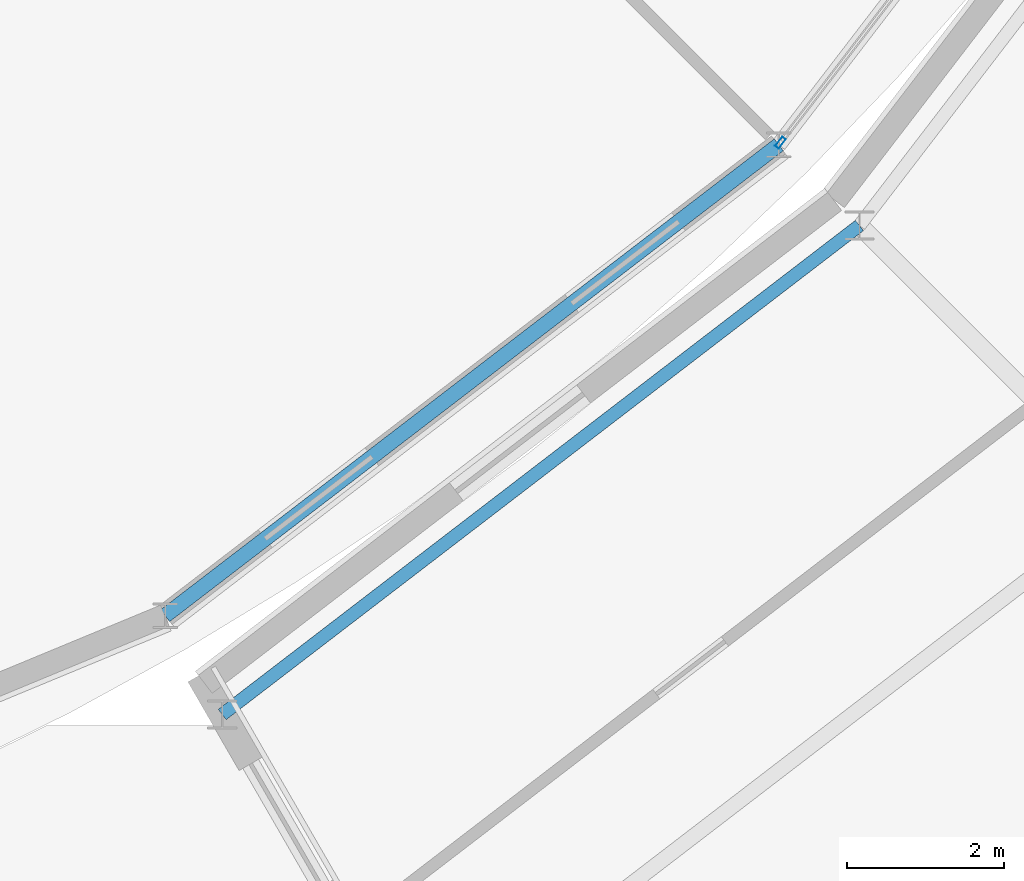
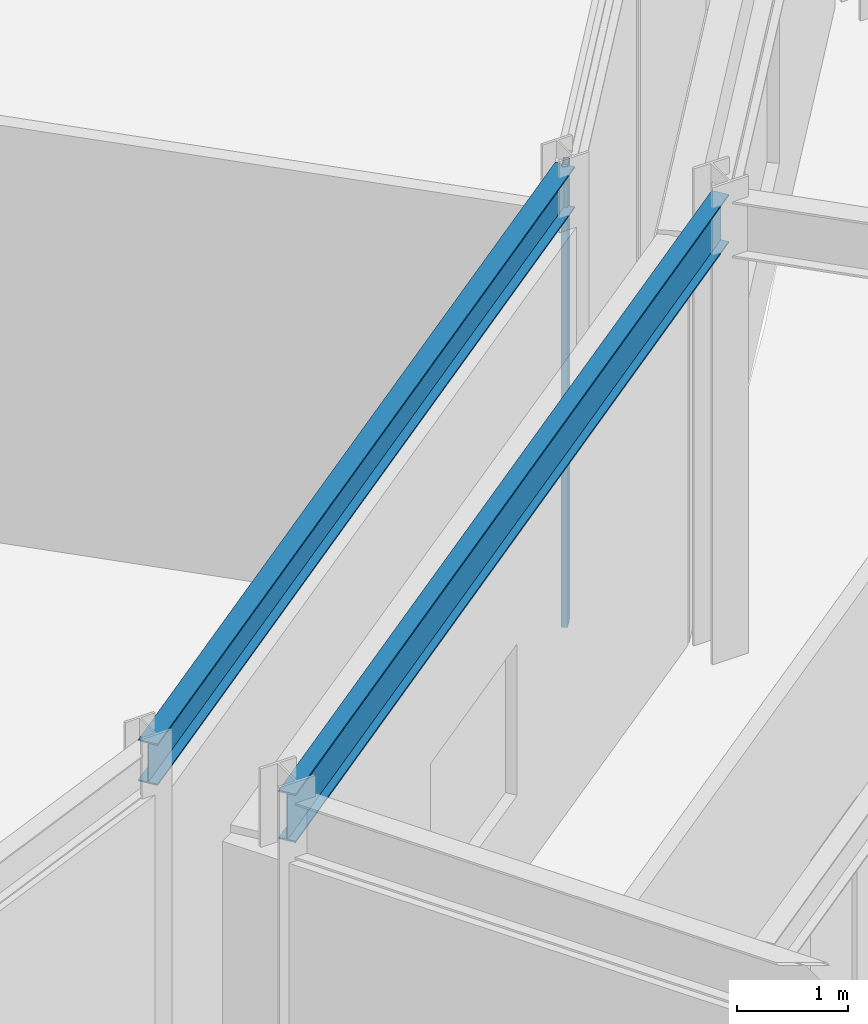
# One storey, part 48 of 168: 2 beams, 1 member, 1 element without a shape of its own.
"""IFC4 building model written with IfcOpenShell, lengths in metres."""

from ifc_helpers import new_model, si_unit, direction, frame, origin, origin_2d, place, context, subcontext, project, spatial, hollow_rectangle, i_section, extrude, material, material_profile, profile_set, type_object, element, aggregate, save


model = new_model("IFC4")

# Units and contexts
model_context = context("Model", 3, precision=1e-05, world=origin(), true_north=direction((0.0, 1.0)))
body_context = subcontext(model_context, "Body", "Model", "MODEL_VIEW")
ifc_project = project(units=[si_unit("LENGTHUNIT", "METRE"), si_unit("AREAUNIT", "SQUARE_METRE"), si_unit("VOLUMEUNIT", "CUBIC_METRE"), si_unit("PLANEANGLEUNIT", "RADIAN"), si_unit("MASSUNIT", "GRAM", prefix="KILO")], contexts=[model_context])

# Site, building, storey
site_placement = place(None, origin())
site = spatial("IfcSite", under=ifc_project, at=site_placement, CompositionType="ELEMENT")
building_placement = place(site_placement, origin())
building = spatial("IfcBuilding", under=site, at=building_placement, Name="Almandine Court Research Institute", CompositionType="ELEMENT")
storey_placement = place(building_placement, origin())
storey = spatial("IfcBuildingStorey", under=building, at=storey_placement, Name="L00", CompositionType="ELEMENT", Elevation=0.0)

# Beams
ifc_material_1 = material(Name="Steel ASTM A992 Grade 50", Category="steel")
ifc_material_profile_1 = material_profile(ifc_material_1, i_section(OverallWidth=0.18994140625, OverallDepth=0.45703125, WebThickness=0.009033203125, FlangeThickness=0.014892578125, at=origin_2d()), Name="W460x74")
ifc_profile_set_1 = profile_set([ifc_material_profile_1], Name="Steel ASTM A992 Grade 50")
beam_type_1 = type_object("IfcBeamType", Name="Beam-B-01", PredefinedType="BEAM", material=ifc_profile_set_1)
beam_1_placement = place(storey_placement, frame((105.824951171875, 23.39404296875, 4.841064453125), z_axis=(0.793391623282, 0.608711534396, 0.0), x_axis=(-0.608711534396, 0.793391623282, 0.0)))
element("IfcBeam", 1, at=beam_1_placement, inside=storey, type_object=beam_type_1, Name="L00 Atrium Outer Ring Beam", PredefinedType="BEAM", context=body_context, shape_type="SweptSolid", body=[
    extrude(i_section(OverallWidth=0.18994140625, OverallDepth=0.45703125, WebThickness=0.009033203125, FlangeThickness=0.014892578125, at=origin_2d()), origin(), (0.0, 0.0, 1.0), 9.828857421875),
])
ifc_material_profile_2 = material_profile(ifc_material_1, i_section(OverallWidth=0.166015625, OverallDepth=0.534912109375, WebThickness=0.010009765625, FlangeThickness=0.01708984375, at=origin_2d()), Name="W530x85")
ifc_profile_set_2 = profile_set([ifc_material_profile_2], Name="Steel ASTM A992 Grade 50")
beam_type_2 = type_object("IfcBeamType", Name="Beam-G-05-E", PredefinedType="SPANDREL", material=ifc_profile_set_2)
beam_2_placement = place(storey_placement, frame((106.550048828125, 22.137939453125, 4.756103515625), z_axis=(0.793335653042, 0.608784478787, 0.0), x_axis=(-0.608784478787, 0.793335653042, 0.0)))
element("IfcBeam", 2, at=beam_2_placement, inside=storey, type_object=beam_type_2, Name="L00 Drum IN Ring Beam 20", PredefinedType="SPANDREL", context=body_context, shape_type="SweptSolid", body=[
    extrude(i_section(OverallWidth=0.166015625, OverallDepth=0.534912109375, WebThickness=0.010009765625, FlangeThickness=0.01708984375, at=origin_2d()), origin(), (0.0, 0.0, 1.0), 10.20751953125),
])

# Curtain wall, member
ifc_material_2 = material(Name="Unitised Curtain Wall Framing and Solar Glazing", Category="glass")
curtain_wall_type = type_object("IfcCurtainWallType", Name="CW-CWG-23", PredefinedType="USERDEFINED", material=ifc_material_2)
curtain_wall_placement = place(storey_placement, origin())
curtain_wall = element("IfcCurtainWall", 3, at=curtain_wall_placement, inside=storey, type_object=curtain_wall_type, Name="L00 Interaction Atrium Perimeter Curtain Wall 21", ObjectType="UNITISED GLAZING", PredefinedType="USERDEFINED")
ifc_material_3 = material(Name="Anodised Aluminium AW-6063-T6", Category="aluminium")
ifc_material_profile_3 = material_profile(ifc_material_3, hollow_rectangle(XDim=0.06005859375, YDim=0.14990234375, WallThickness=0.00390625, at=origin_2d()), Name="ALU RHS 60x150x4")
ifc_profile_set_3 = profile_set([ifc_material_profile_3], Name="Anodised Aluminium AW-6063-T6")
member_type = type_object("IfcMemberType", Name="CWMul-60x150", PredefinedType="MULLION", material=ifc_profile_set_3)
member_placement = place(storey_placement, frame((113.643310546875, 29.40380859375, 0.0), z_axis=(0.0, 0.0, 1.0), x_axis=(0.793353924979, -0.608760667029, 0.0)))
member = element("IfcMember", 4, at=member_placement, type_object=member_type, Name="CWG-23 mullion 3", PredefinedType="MULLION", context=body_context, shape_type="SweptSolid", body=[
    extrude(hollow_rectangle(XDim=0.06005859375, YDim=0.14990234375, WallThickness=0.00390625, at=origin_2d()), origin(), (0.0, 0.0, 1.0), 5.070068359375),
])
aggregate(curtain_wall, [member])

save(model, "model.ifc")
